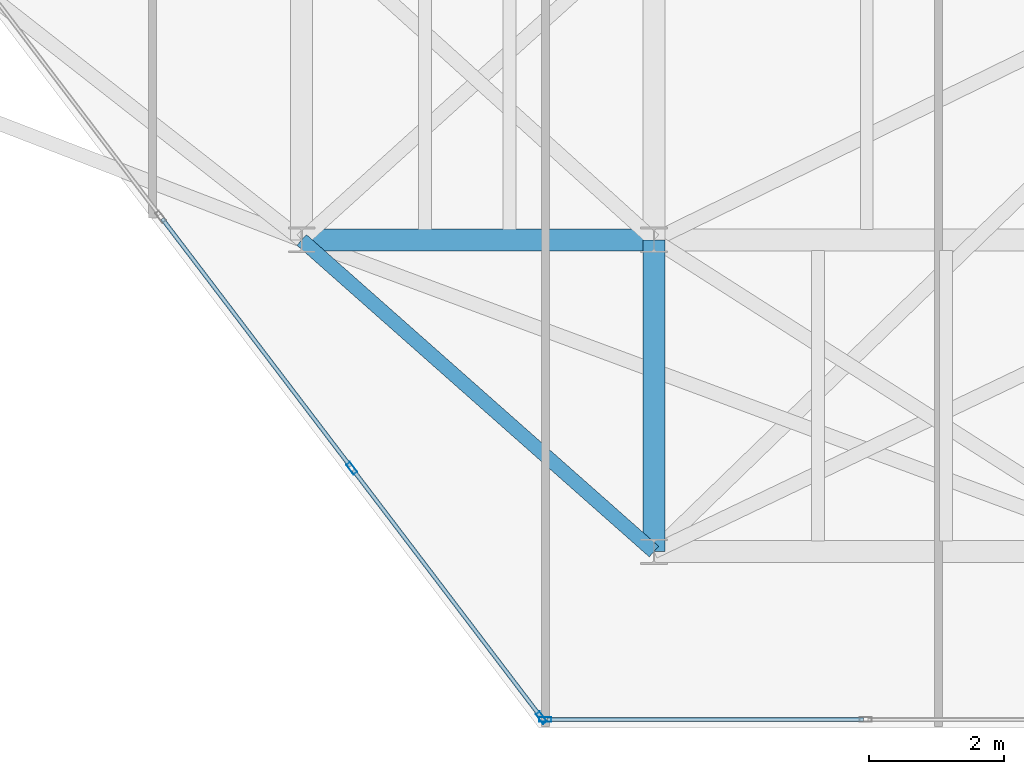
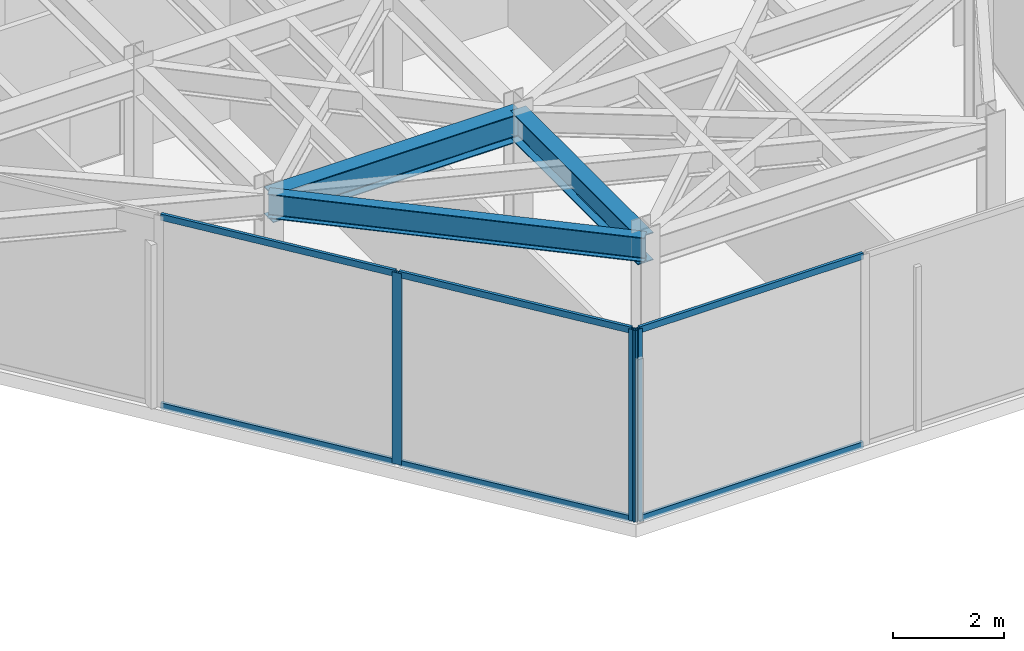
# One storey, part 6 of 17: 9 members, 3 beams, 2 elements without a shape of their own.
"""IFC4 building model written with IfcOpenShell, lengths in metres."""

import ifcopenshell
import ifcopenshell.guid

model = None  # the IFC model being written
_history = None  # IfcOwnerHistory: only IFC2X3 demands one
_inside = {}  # id of a spatial element -> (the spatial element, [elements in it])
_under = {}  # id of a project, library or spatial element -> (it, [spatial elements below it])
_declared = {}  # id of a project -> (the project, [libraries it declares])
_typed = {}  # id of a type object -> (the type object, [elements of that type])
_made_of = {}  # id of a material, layer set ... -> (it, [elements and type objects made of it])


def new_model(schema):
    """Start an empty IFC model of exactly this schema.

    Asked for "IFC4X3", IfcOpenShell would pick the latest addendum, in which some entities
    have other attributes; the version numbers below select the first issue.
    IFC2X3 requires an IfcOwnerHistory on every rooted entity: one is made here for all.
    """
    global model, _history
    if schema == "IFC4X3":
        model = ifcopenshell.file(schema_version=(4, 3, 0, 0))
    else:
        model = ifcopenshell.file(schema=schema)
    _inside.clear()
    _under.clear()
    _declared.clear()
    _typed.clear()
    _made_of.clear()
    _history = None
    if model.schema == "IFC2X3":
        org = make("IfcOrganization", Name="unknown")
        user = make(
            "IfcPersonAndOrganization",
            ThePerson=make("IfcPerson", FamilyName="unknown"),
            TheOrganization=org,
        )
        app = make(
            "IfcApplication",
            ApplicationDeveloper=org,
            Version="unknown",
            ApplicationFullName="unknown",
            ApplicationIdentifier="unknown",
        )
        _history = make(
            "IfcOwnerHistory",
            OwningUser=user,
            OwningApplication=app,
            ChangeAction="ADDED",
            CreationDate=0,
        )
    return model


def make(cls, **values):
    """One entity of the class cls with the attributes given. An attribute that is None is left unset."""
    return model.create_entity(
        cls, **{name: value for name, value in values.items() if value is not None}
    )


def rooted(cls, **values):
    """An entity with a GlobalId (a new one), such as an element, a storey or a relation."""
    return make(cls, GlobalId=ifcopenshell.guid.new(), OwnerHistory=_history, **values)


def si_unit(unit_type, name, prefix=None):
    """IfcSIUnit, for example si_unit("LENGTHUNIT", "METRE", prefix="MILLI")."""
    return make("IfcSIUnit", UnitType=unit_type, Prefix=prefix, Name=name)


def assignment(units):
    """IfcUnitAssignment: the units of a project."""
    return None if units is None else make("IfcUnitAssignment", Units=units)


def point(xyz):
    """IfcCartesianPoint."""
    return None if xyz is None else make("IfcCartesianPoint", Coordinates=xyz)


def direction(xyz):
    """IfcDirection."""
    return None if xyz is None else make("IfcDirection", DirectionRatios=xyz)


def frame(location, z_axis=None, x_axis=None):
    """IfcAxis2Placement3D, a coordinate frame: its origin and axes. An axis left out is left unset."""
    return make(
        "IfcAxis2Placement3D",
        Location=point(location),
        Axis=direction(z_axis),
        RefDirection=direction(x_axis),
    )


def frame_2d(location, x_axis=None):
    """IfcAxis2Placement2D, a coordinate frame in the plane: its origin and x axis."""
    return make(
        "IfcAxis2Placement2D", Location=point(location), RefDirection=direction(x_axis)
    )


def origin():
    """The frame at (0, 0, 0) with its axes left unset."""
    return frame((0.0, 0.0, 0.0))


def origin_2d():
    """The frame at (0, 0) in the plane with its x axis left unset."""
    return frame_2d((0.0, 0.0))


def place(relative_to, where):
    """IfcLocalPlacement: puts the frame where relative to a parent placement (None: the world)."""
    return make(
        "IfcLocalPlacement", PlacementRelTo=relative_to, RelativePlacement=where
    )


def context(
    kind, dimensions, precision=None, world=None, true_north=None, identifier=None
):
    """IfcGeometricRepresentationContext, for example the 3D "Model" context."""
    return make(
        "IfcGeometricRepresentationContext",
        ContextIdentifier=identifier,
        ContextType=kind,
        CoordinateSpaceDimension=dimensions,
        Precision=precision,
        WorldCoordinateSystem=world,
        TrueNorth=true_north,
    )


def subcontext(parent, identifier, kind, view, scale=None):
    """IfcGeometricRepresentationSubContext, for example "Body" below "Model"."""
    return make(
        "IfcGeometricRepresentationSubContext",
        ContextIdentifier=identifier,
        ContextType=kind,
        ParentContext=parent,
        TargetScale=scale,
        TargetView=view,
    )


def project(units=None, contexts=None):
    """IfcProject with its units and contexts."""
    return rooted(
        "IfcProject",
        Name="project",
        RepresentationContexts=contexts,
        UnitsInContext=assignment(units),
    )


def spatial(cls, under=None, at=None, **own):
    """A site, building, storey or space (cls), placed at a placement, below another one or the project."""
    s = rooted(cls, ObjectPlacement=at, **own)
    if under is not None:
        _under.setdefault(under.id(), (under, []))[1].append(s)
    return s


def profile(cls, at=None, kind="AREA", **sizes):
    """A parametric profile (cls). Its sizes go by their IFC names, for example OverallWidth=200.0."""
    return make(cls, ProfileType=kind, Position=at, **sizes)


def hollow_rectangle(**sizes):
    """IfcRectangleHollowProfileDef."""
    return profile("IfcRectangleHollowProfileDef", **sizes)


def i_section(**sizes):
    """IfcIShapeProfileDef."""
    return profile("IfcIShapeProfileDef", **sizes)


def extrude(swept, where, along, depth):
    """IfcExtrudedAreaSolid: the profile swept, set in the frame where, extruded along a direction by depth."""
    return make(
        "IfcExtrudedAreaSolid",
        SweptArea=swept,
        Position=where,
        ExtrudedDirection=direction(along),
        Depth=depth,
    )


def shape(context_of_items, identifier, shape_type, items):
    """IfcShapeRepresentation: the items that make up one representation, for example the "Body"."""
    return make(
        "IfcShapeRepresentation",
        ContextOfItems=context_of_items,
        RepresentationIdentifier=identifier,
        RepresentationType=shape_type,
        Items=items,
    )


def material(Name=None, Category=None):
    """IfcMaterial."""
    return make("IfcMaterial", Name=Name, Category=Category)


def layer(
    of_material, thickness, ventilated=None, Name=None, Category=None, Priority=None
):
    """IfcMaterialLayer: one layer of a wall or slab, of a material (None: an air gap)."""
    return make(
        "IfcMaterialLayer",
        Material=of_material,
        LayerThickness=thickness,
        IsVentilated=ventilated,
        Name=Name,
        Category=Category,
        Priority=Priority,
    )


def layer_set(layers, Name=None):
    """IfcMaterialLayerSet."""
    return make("IfcMaterialLayerSet", MaterialLayers=layers, LayerSetName=Name)


def material_profile(
    of_material, cross_section, Name=None, Category=None, Priority=None
):
    """IfcMaterialProfile: a cross section and its material."""
    return make(
        "IfcMaterialProfile",
        Name=Name,
        Material=of_material,
        Profile=cross_section,
        Priority=Priority,
        Category=Category,
    )


def profile_set(profiles, Name=None, composite=None):
    """IfcMaterialProfileSet."""
    return make(
        "IfcMaterialProfileSet",
        Name=Name,
        MaterialProfiles=profiles,
        CompositeProfile=composite,
    )


def made_of(thing, what):
    """Note that an element or type object is made of a material, layer set ...; save() writes the relation."""
    if what is not None:
        _made_of.setdefault(what.id(), (what, []))[1].append(thing)
    return thing


def type_object(cls, material=None, **own):
    """A type object (cls), such as IfcWallType, which elements share."""
    return made_of(rooted(cls, **own), material)


def element(
    cls,
    number,
    at=None,
    inside=None,
    cuts=None,
    type_object=None,
    material=None,
    context=None,
    identifier="Body",
    shape_type=None,
    held_by="IfcProductDefinitionShape",
    body=None,
    shapes=None,
    **own,
):
    """One element of the class cls, such as IfcWall. Its Tag is "e" and its number.

    at: its placement. inside: the storey or other place that contains it. cuts: it is an
    opening in that element (IfcRelVoidsElement). A single representation is given by context,
    identifier, shape_type and body (its items); several are given by shapes. held_by: the class
    of the entity that holds the representations. save() writes the other relations.
    """
    e = rooted(cls, Tag="e%d" % number, ObjectPlacement=at, **own)
    if body is not None:
        shapes = [shape(context, identifier, shape_type, body)]
    if shapes is not None:
        e.Representation = make(held_by, Representations=shapes)
    if inside is not None:
        _inside.setdefault(inside.id(), (inside, []))[1].append(e)
    if cuts is not None:
        rooted(
            "IfcRelVoidsElement", RelatingBuildingElement=cuts, RelatedOpeningElement=e
        )
    if type_object is not None:
        _typed.setdefault(type_object.id(), (type_object, []))[1].append(e)
    return made_of(e, material)


def aggregate(whole, parts):
    """IfcRelAggregates: a whole, such as a stair, and the parts it consists of."""
    return rooted("IfcRelAggregates", RelatingObject=whole, RelatedObjects=parts)


def save(model, path):
    """Write the relations noted so far, then the file.

    IfcRelAggregates (storeys below a building ...), IfcRelContainedInSpatialStructure (elements
    in a storey), IfcRelDefinesByType, IfcRelAssociatesMaterial and IfcRelDeclares: one each for
    every whole, place, type object, material and project.
    """
    for whole, parts in _under.values():
        aggregate(whole, parts)
    for where, things in _inside.values():
        rooted(
            "IfcRelContainedInSpatialStructure",
            RelatedElements=things,
            RelatingStructure=where,
        )
    for kind, things in _typed.values():
        rooted("IfcRelDefinesByType", RelatedObjects=things, RelatingType=kind)
    for what, things in _made_of.values():
        rooted("IfcRelAssociatesMaterial", RelatedObjects=things, RelatingMaterial=what)
    for by, libraries in _declared.values():
        rooted("IfcRelDeclares", RelatingContext=by, RelatedDefinitions=libraries)
    model.write(path)


model = new_model("IFC4")

# Units and contexts
model_context = context("Model", 3, precision=1e-05, world=origin(), true_north=direction((0.0, 1.0)))
body_context = subcontext(model_context, "Body", "Model", "MODEL_VIEW")
ifc_project = project(units=[si_unit("LENGTHUNIT", "METRE"), si_unit("AREAUNIT", "SQUARE_METRE"), si_unit("VOLUMEUNIT", "CUBIC_METRE"), si_unit("PLANEANGLEUNIT", "RADIAN"), si_unit("MASSUNIT", "GRAM", prefix="KILO")], contexts=[model_context])

# Site, building, storey
site_placement = place(None, origin())
site = spatial("IfcSite", under=ifc_project, at=site_placement, CompositionType="ELEMENT")
building_placement = place(site_placement, origin())
building = spatial("IfcBuilding", under=site, at=building_placement, Name="Kravanh Interchange Tower", CompositionType="ELEMENT")
storey_placement = place(building_placement, frame((0.0, 0.0, 311.10009765625)))
storey = spatial("IfcBuildingStorey", under=building, at=storey_placement, Name="L77", CompositionType="ELEMENT", Elevation=311.10009765625)

# Curtain wall, member
ifc_material_1 = material(Name="Anodised Bronze Aluminium", Category="aluminium")
ifc_layer = layer(ifc_material_1, 0.179931640625)
ifc_layer_set = layer_set([ifc_layer], Name="Unitised Curtain Wall System CW-SKY Sky Observatory")
curtain_wall_type = type_object("IfcCurtainWallType", Name="Unitised Curtain Wall System CW-SKY Sky Observatory", PredefinedType="NOTDEFINED", material=ifc_layer_set)
curtain_wall_1_placement = place(storey_placement, origin())
curtain_wall_1 = element("IfcCurtainWall", 1, at=curtain_wall_1_placement, inside=storey, type_object=curtain_wall_type, Name="L77 Unitised Curtain Wall CW-L77-04", PredefinedType="NOTDEFINED")
ifc_material_2 = material(Name="Anodised Bronze Aluminium", Category="aluminium")
ifc_material_profile_1 = material_profile(ifc_material_2, hollow_rectangle(XDim=0.070068359375, YDim=0.179931640625, WallThickness=0.00390625, at=origin_2d()), Name="ALU70X180X4")
ifc_profile_set_1 = profile_set([ifc_material_profile_1], Name="Anodised Bronze Aluminium")
member_type_1 = type_object("IfcMemberType", Name="Curtain Wall Mullion ALU70X180X4 Bronze", PredefinedType="MULLION", material=ifc_profile_set_1)
member_1_placement = place(storey_placement, frame((54.39453125, 19.719970703125, 0.0), z_axis=(0.0, 0.0, 1.0), x_axis=(0.0, -1.0, 0.0)))
member_1 = element("IfcMember", 2, at=member_1_placement, type_object=member_type_1, Name="CW-SKY mullion 3", PredefinedType="MULLION", context=body_context, shape_type="SweptSolid", body=[
    extrude(hollow_rectangle(XDim=0.070068359375, YDim=0.179931640625, WallThickness=0.00390625, at=origin_2d()), origin(), (0.0, 0.0, 1.0), 4.219970703125),
])

# Curtain wall, members
curtain_wall_2_placement = place(storey_placement, origin())
curtain_wall_2 = element("IfcCurtainWall", 3, at=curtain_wall_2_placement, inside=storey, type_object=curtain_wall_type, Name="L77 Unitised Curtain Wall CW-L77-05", PredefinedType="NOTDEFINED")
member_2_placement = place(storey_placement, frame((54.33837890625, 19.747802734375, 0.0), z_axis=(0.0, 0.0, 1.0), x_axis=(-0.796161642797, -0.605083992962, 0.0)))
member_2 = element("IfcMember", 4, at=member_2_placement, type_object=member_type_1, Name="CW-SKY mullion 1", PredefinedType="MULLION", context=body_context, shape_type="SweptSolid", body=[
    extrude(hollow_rectangle(XDim=0.070068359375, YDim=0.179931640625, WallThickness=0.00390625, at=origin_2d()), origin(), (0.0, 0.0, 1.0), 4.219970703125),
])
member_3_placement = place(storey_placement, frame((51.53955078125, 23.430419921875, 0.0), z_axis=(0.0, 0.0, 1.0), x_axis=(-0.796161642797, -0.605083992962, 0.0)))
member_3 = element("IfcMember", 5, at=member_3_placement, type_object=member_type_1, Name="CW-SKY mullion 2", PredefinedType="MULLION", context=body_context, shape_type="SweptSolid", body=[
    extrude(hollow_rectangle(XDim=0.070068359375, YDim=0.179931640625, WallThickness=0.00390625, at=origin_2d()), origin(), (0.0, 0.0, 1.0), 4.219970703125),
])

# Member
ifc_material_3 = material(Name="Anodised Bronze Aluminium", Category="aluminium")
ifc_material_profile_2 = material_profile(ifc_material_3, hollow_rectangle(XDim=0.06005859375, YDim=0.139892578125, WallThickness=0.00390625, at=origin_2d()), Name="ALU60X140X4")
ifc_profile_set_2 = profile_set([ifc_material_profile_2], Name="Anodised Bronze Aluminium")
member_type_2 = type_object("IfcMemberType", Name="Curtain Wall Transom ALU60X140X4 Bronze", PredefinedType="USERDEFINED", material=ifc_profile_set_2)
member_4_placement = place(storey_placement, frame((59.091552734375, 19.719970703125, 0.02978515625), z_axis=(-1.0, 0.0, 0.0), x_axis=(0.0, -1.0, 0.0)))
member_4 = element("IfcMember", 6, at=member_4_placement, type_object=member_type_2, Name="CW-SKY transom 2.1", ObjectType="TRANSOM", PredefinedType="USERDEFINED", context=body_context, shape_type="SweptSolid", body=[
    extrude(hollow_rectangle(XDim=0.06005859375, YDim=0.139892578125, WallThickness=0.00390625, at=origin_2d()), origin(), (0.0, 0.0, 1.0), 4.662109375),
])

member_5_placement = place(storey_placement, frame((59.091552734375, 19.719970703125, 4.18994140625), z_axis=(-1.0, 0.0, 0.0), x_axis=(0.0, -1.0, 0.0)))
member_5 = element("IfcMember", 7, at=member_5_placement, type_object=member_type_2, Name="CW-SKY transom 2.2", ObjectType="TRANSOM", PredefinedType="USERDEFINED", context=body_context, shape_type="SweptSolid", body=[
    extrude(hollow_rectangle(XDim=0.06005859375, YDim=0.139892578125, WallThickness=0.00390625, at=origin_2d()), origin(), (0.0, 0.0, 1.0), 4.662109375),
])

aggregate(curtain_wall_1, [member_1, member_4, member_5])

member_6_placement = place(storey_placement, frame((54.317138671875, 19.775634765625, 0.02978515625), z_axis=(-0.605090062038, 0.796157030254, 0.0), x_axis=(-0.796157030254, -0.605090062038, 0.0)))
member_6 = element("IfcMember", 8, at=member_6_placement, type_object=member_type_2, Name="CW-SKY transom 1.1", ObjectType="TRANSOM", PredefinedType="USERDEFINED", context=body_context, shape_type="SweptSolid", body=[
    extrude(hollow_rectangle(XDim=0.06005859375, YDim=0.139892578125, WallThickness=0.00390625, at=origin_2d()), origin(), (0.0, 0.0, 1.0), 4.55517578125),
])

member_7_placement = place(storey_placement, frame((54.317138671875, 19.775634765625, 4.18994140625), z_axis=(-0.605090062038, 0.796157030254, 0.0), x_axis=(-0.796157030254, -0.605090062038, 0.0)))
member_7 = element("IfcMember", 9, at=member_7_placement, type_object=member_type_2, Name="CW-SKY transom 1.2", ObjectType="TRANSOM", PredefinedType="USERDEFINED", context=body_context, shape_type="SweptSolid", body=[
    extrude(hollow_rectangle(XDim=0.06005859375, YDim=0.139892578125, WallThickness=0.00390625, at=origin_2d()), origin(), (0.0, 0.0, 1.0), 4.55517578125),
])

member_8_placement = place(storey_placement, frame((51.5185546875, 23.458251953125, 0.02978515625), z_axis=(-0.605102146932, 0.796147845427, 0.0), x_axis=(-0.796147845427, -0.605102146932, 0.0)))
member_8 = element("IfcMember", 10, at=member_8_placement, type_object=member_type_2, Name="CW-SKY transom 2.1", ObjectType="TRANSOM", PredefinedType="USERDEFINED", context=body_context, shape_type="SweptSolid", body=[
    extrude(hollow_rectangle(XDim=0.06005859375, YDim=0.139892578125, WallThickness=0.00390625, at=origin_2d()), origin(), (0.0, 0.0, 1.0), 4.59033203125),
])

member_9_placement = place(storey_placement, frame((51.5185546875, 23.458251953125, 4.18994140625), z_axis=(-0.605102146932, 0.796147845427, 0.0), x_axis=(-0.796147845427, -0.605102146932, 0.0)))
member_9 = element("IfcMember", 11, at=member_9_placement, type_object=member_type_2, Name="CW-SKY transom 2.2", ObjectType="TRANSOM", PredefinedType="USERDEFINED", context=body_context, shape_type="SweptSolid", body=[
    extrude(hollow_rectangle(XDim=0.06005859375, YDim=0.139892578125, WallThickness=0.00390625, at=origin_2d()), origin(), (0.0, 0.0, 1.0), 4.59033203125),
])

aggregate(curtain_wall_2, [member_2, member_3, member_6, member_7, member_8, member_9])

# Beams
ifc_material_4 = material(Name="Structural Steel S355", Category="steel")
ifc_material_profile_3 = material_profile(ifc_material_4, i_section(OverallWidth=0.323974609375, OverallDepth=0.611083984375, WebThickness=0.0126953125, FlangeThickness=0.01904296875, FilletRadius=0.02197265625, at=origin_2d()), Name="W24X104")
ifc_profile_set_3 = profile_set([ifc_material_profile_3], Name="Structural Steel S355")
beam_type_1 = type_object("IfcBeamType", Name="Floor Beam W24X104 Structural Steel S355", PredefinedType="BEAM", material=ifc_profile_set_3)
beam_1_placement = place(storey_placement, frame((50.800048828125, 26.800048828125, 3.914306640625), z_axis=(1.0, 0.0, 0.0), x_axis=(0.0, 1.0, 0.0)))
element("IfcBeam", 12, at=beam_1_placement, inside=storey, type_object=beam_type_1, Name="L77 Primary Floor Girder 20", PredefinedType="BEAM", context=body_context, shape_type="SweptSolid", body=[
    extrude(i_section(OverallWidth=0.323974609375, OverallDepth=0.611083984375, WebThickness=0.0126953125, FlangeThickness=0.01904296875, FilletRadius=0.02197265625, at=origin_2d()), origin(), (0.0, 0.0, 1.0), 5.199951171875),
])
beam_2_placement = place(storey_placement, frame((56.0, 26.800048828125, 3.914306640625), z_axis=(0.0, -1.0, 0.0), x_axis=(1.0, 0.0, 0.0)))
element("IfcBeam", 13, at=beam_2_placement, inside=storey, type_object=beam_type_1, Name="L77 Primary Floor Girder 23", PredefinedType="BEAM", context=body_context, shape_type="SweptSolid", body=[
    extrude(i_section(OverallWidth=0.323974609375, OverallDepth=0.611083984375, WebThickness=0.0126953125, FlangeThickness=0.01904296875, FilletRadius=0.02197265625, at=origin_2d()), origin(), (0.0, 0.0, 1.0), 4.60009765625),
])
ifc_material_5 = material(Name="Structural Steel S355", Category="steel")
ifc_material_profile_4 = material_profile(ifc_material_5, i_section(OverallWidth=0.2099609375, OverallDepth=0.537109375, WebThickness=0.010986328125, FlangeThickness=0.017333984375, FilletRadius=0.02001953125, at=origin_2d()), Name="W21X68")
ifc_profile_set_4 = profile_set([ifc_material_profile_4], Name="Structural Steel S355")
beam_type_2 = type_object("IfcBeamType", Name="Floor Spandrel W21X68 Structural Steel S355", PredefinedType="SPANDREL", material=ifc_profile_set_4)
beam_3_placement = place(storey_placement, frame((50.800048828125, 26.800048828125, 3.951416015625), z_axis=(0.74898649432, -0.662585263439, 0.0), x_axis=(0.662585263439, 0.74898649432, 0.0)))
element("IfcBeam", 14, at=beam_3_placement, inside=storey, type_object=beam_type_2, Name="L77 Perimeter Spandrel 21", PredefinedType="SPANDREL", context=body_context, shape_type="SweptSolid", body=[
    extrude(i_section(OverallWidth=0.2099609375, OverallDepth=0.537109375, WebThickness=0.010986328125, FlangeThickness=0.017333984375, FilletRadius=0.02001953125, at=origin_2d()), origin(), (0.0, 0.0, 1.0), 6.942626953125),
])

save(model, "model.ifc")
